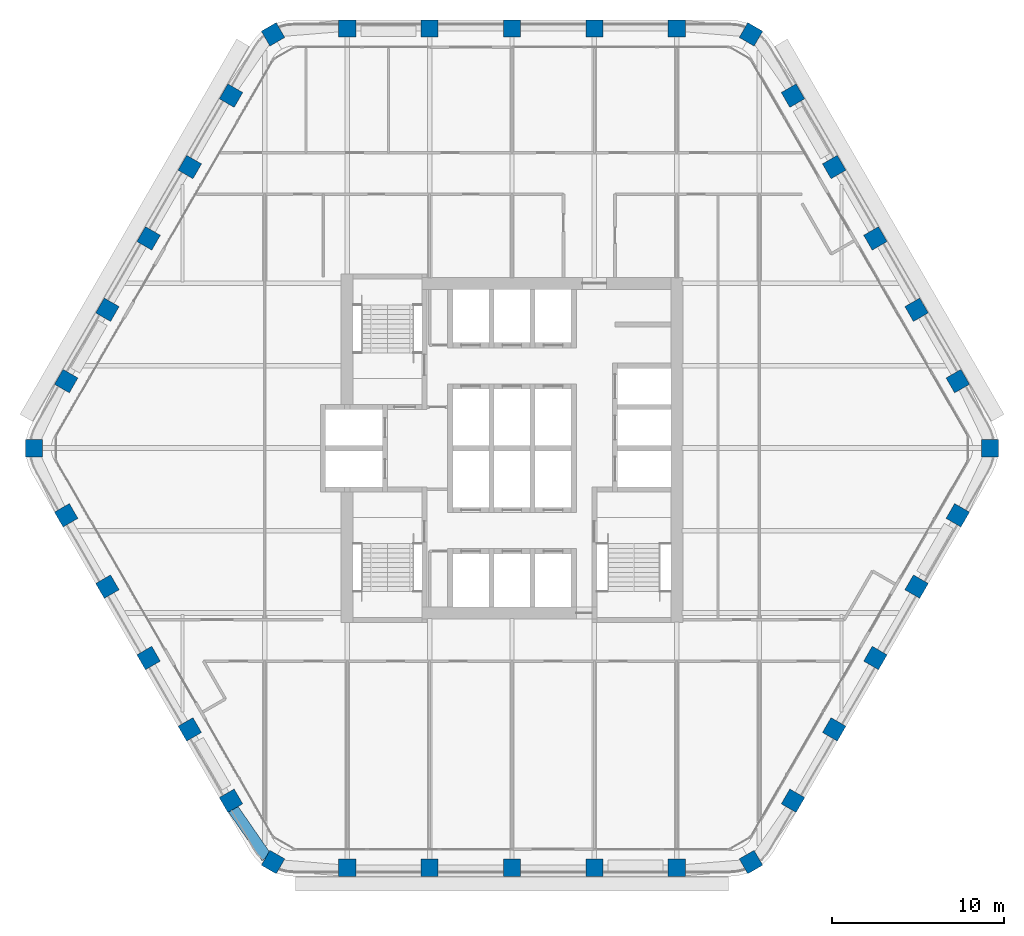
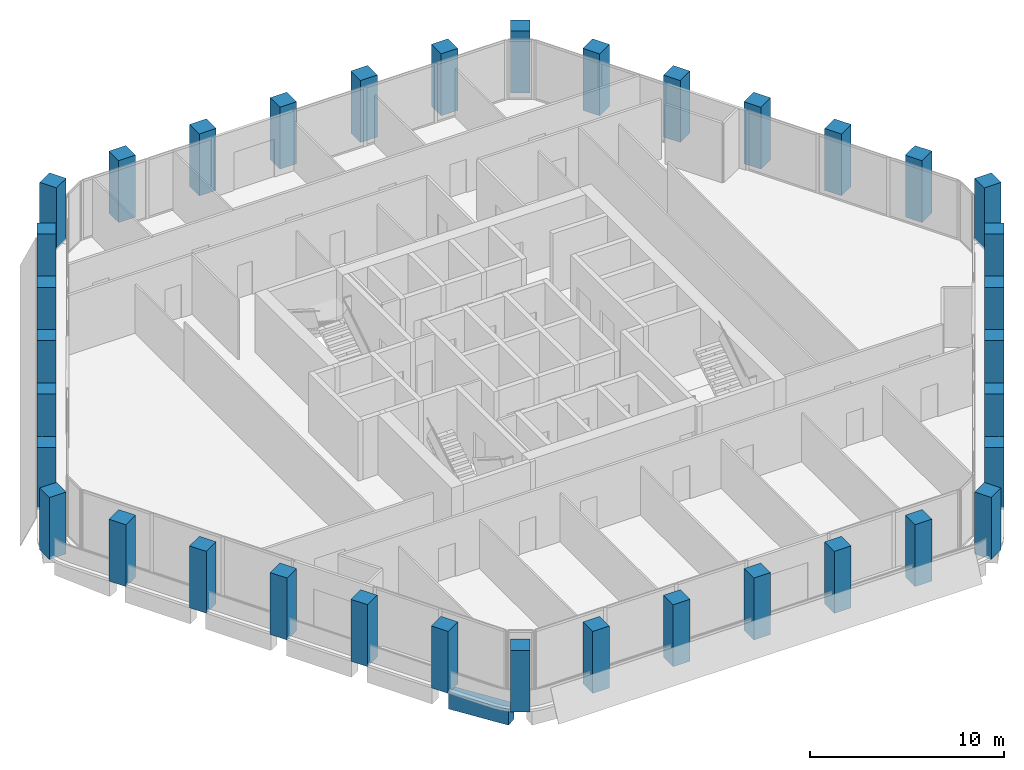
# One storey, part 1 of 15: 36 columns, 1 beam.
"""IFC4 building model written with IfcOpenShell, lengths in metres."""

from ifc_helpers import new_model, si_unit, direction, frame, origin, origin_2d, place, context, subcontext, project, spatial, rectangle, extrude, material, material_profile, profile_set, type_object, element, save


model = new_model("IFC4")

# Units and contexts
model_context = context("Model", 3, precision=1e-05, world=origin(), true_north=direction((0.0, 1.0)))
body_context = subcontext(model_context, "Body", "Model", "MODEL_VIEW")
ifc_project = project(units=[si_unit("LENGTHUNIT", "METRE"), si_unit("AREAUNIT", "SQUARE_METRE"), si_unit("VOLUMEUNIT", "CUBIC_METRE"), si_unit("PLANEANGLEUNIT", "RADIAN"), si_unit("MASSUNIT", "GRAM", prefix="KILO")], contexts=[model_context])

# Site, building, storey
site_placement = place(None, origin())
site = spatial("IfcSite", under=ifc_project, at=site_placement, CompositionType="ELEMENT")
building_placement = place(site_placement, origin())
building = spatial("IfcBuilding", under=site, at=building_placement, Name="Kolab Exchange Tower", CompositionType="ELEMENT")
storey_placement = place(building_placement, frame((0.0, 0.0, 185.60009765625)))
storey = spatial("IfcBuildingStorey", under=building, at=storey_placement, Name="L39", CompositionType="ELEMENT", Elevation=185.60009765625)

# Columns
ifc_material = material(Name="Concrete C60/75", Category="concrete")
ifc_material_profile_1 = material_profile(ifc_material, rectangle(XDim=1.0, YDim=1.0, at=origin_2d()), Name="RC1000")
ifc_profile_set_1 = profile_set([ifc_material_profile_1], Name="Concrete C60/75")
column_type = type_object("IfcColumnType", Name="PERIMETER COLUMN 1000 SQ C60/75", PredefinedType="COLUMN", material=ifc_profile_set_1)
for number, where, z_axis, x_axis, name in (
    (1, (-13.91796875, 24.106689453125, -0.150146484375), (0.0, 0.0, 1.0), (0.866025403784, 0.5, 0.0), "col/L39/F1-01"),
    (2, (-9.60009765625, 24.441650390625, -0.150146484375), (0.0, 0.0, 1.0), (1.0, 0.0, 0.0), "col/L39/F1-02"),
    (3, (-4.800048828125, 24.441650390625, -0.150146484375), (0.0, 0.0, 1.0), (1.0, 0.0, 0.0), "col/L39/F1-03"),
    (4, (0.0, 24.441650390625, -0.150146484375), (0.0, 0.0, 1.0), (1.0, 0.0, 0.0), "col/L39/F1-04"),
    (5, (4.800048828125, 24.441650390625, -0.150146484375), (0.0, 0.0, 1.0), (1.0, 0.0, 0.0), "col/L39/F1-05"),
    (6, (9.60009765625, 24.441650390625, -0.150146484375), (0.0, 0.0, 1.0), (1.0, 0.0, 0.0), "col/L39/F1-06"),
    (7, (13.91796875, 24.106689453125, -0.150146484375), (0.0, 0.0, 1.0), (0.5, 0.866025403784, 0.0), "col/L39/F2-01"),
    (8, (16.366943359375, 20.53466796875, -0.150146484375), (0.0, 0.0, 1.0), (0.866025403784, 0.5, 0.0), "col/L39/F2-02"),
    (9, (18.76708984375, 16.377685546875, -0.150146484375), (0.0, 0.0, 1.0), (0.866025403784, 0.5, 0.0), "col/L39/F2-03"),
    (10, (21.1669921875, 12.220703125, -0.150146484375), (0.0, 0.0, 1.0), (0.866025403784, 0.5, 0.0), "col/L39/F2-04"),
    (11, (23.56689453125, 8.06396484375, -0.150146484375), (0.0, 0.0, 1.0), (0.866025403784, 0.5, 0.0), "col/L39/F2-05"),
    (12, (25.967041015625, 3.906982421875, -0.150146484375), (0.0, 0.0, 1.0), (0.866025403784, 0.5, 0.0), "col/L39/F2-06"),
    (13, (27.8359375, 0.0, -0.150146484375), (0.0, 0.0, 1.0), (1.0, 0.0, 0.0), "col/L39/F3-01"),
    (14, (25.967041015625, -3.906982421875, -0.150146484375), (0.0, 0.0, 1.0), (0.5, 0.866025403784, 0.0), "col/L39/F3-02"),
    (15, (23.56689453125, -8.06396484375, -0.150146484375), (0.0, 0.0, 1.0), (0.5, 0.866025403784, 0.0), "col/L39/F3-03"),
    (16, (21.1669921875, -12.220703125, -0.150146484375), (0.0, 0.0, 1.0), (0.5, 0.866025403784, 0.0), "col/L39/F3-04"),
    (17, (18.76708984375, -16.377685546875, -0.150146484375), (0.0, 0.0, 1.0), (0.5, 0.866025403784, 0.0), "col/L39/F3-05"),
    (18, (16.366943359375, -20.53466796875, -0.150146484375), (0.0, 0.0, 1.0), (0.5, 0.866025403784, 0.0), "col/L39/F3-06"),
    (19, (13.91796875, -24.106689453125, -0.150146484375), (0.0, 0.0, 1.0), (0.866025403784, 0.5, 0.0), "col/L39/F4-01"),
    (20, (9.60009765625, -24.441650390625, -0.150146484375), (0.0, 0.0, 1.0), (1.0, 0.0, 0.0), "col/L39/F4-02"),
    (21, (4.800048828125, -24.441650390625, -0.150146484375), (0.0, 0.0, 1.0), (1.0, 0.0, 0.0), "col/L39/F4-03"),
    (22, (0.0, -24.441650390625, -0.150146484375), (0.0, 0.0, 1.0), (1.0, 0.0, 0.0), "col/L39/F4-04"),
    (23, (-4.800048828125, -24.441650390625, -0.150146484375), (0.0, 0.0, 1.0), (1.0, 0.0, 0.0), "col/L39/F4-05"),
    (24, (-9.60009765625, -24.441650390625, -0.150146484375), (0.0, 0.0, 1.0), (1.0, 0.0, 0.0), "col/L39/F4-06"),
    (25, (-13.91796875, -24.106689453125, -0.150146484375), (0.0, 0.0, 1.0), (0.5, 0.866025403784, 0.0), "col/L39/F5-01"),
    (26, (-16.366943359375, -20.53466796875, -0.150146484375), (0.0, 0.0, 1.0), (0.866025403784, 0.5, 0.0), "col/L39/F5-02"),
    (27, (-18.76708984375, -16.377685546875, -0.150146484375), (0.0, 0.0, 1.0), (0.866025403784, 0.5, 0.0), "col/L39/F5-03"),
    (28, (-21.1669921875, -12.220703125, -0.150146484375), (0.0, 0.0, 1.0), (0.866025403784, 0.5, 0.0), "col/L39/F5-04"),
    (29, (-23.56689453125, -8.06396484375, -0.150146484375), (0.0, 0.0, 1.0), (0.866025403784, 0.5, 0.0), "col/L39/F5-05"),
    (30, (-25.967041015625, -3.906982421875, -0.150146484375), (0.0, 0.0, 1.0), (0.866025403784, 0.5, 0.0), "col/L39/F5-06"),
    (31, (-27.8359375, 0.0, -0.150146484375), (0.0, 0.0, 1.0), (1.0, 0.0, 0.0), "col/L39/F6-01"),
    (32, (-25.967041015625, 3.906982421875, -0.150146484375), (0.0, 0.0, 1.0), (0.5, 0.866025403784, 0.0), "col/L39/F6-02"),
    (33, (-23.56689453125, 8.06396484375, -0.150146484375), (0.0, 0.0, 1.0), (0.5, 0.866025403784, 0.0), "col/L39/F6-03"),
    (34, (-21.1669921875, 12.220703125, -0.150146484375), (0.0, 0.0, 1.0), (0.5, 0.866025403784, 0.0), "col/L39/F6-04"),
    (35, (-18.76708984375, 16.377685546875, -0.150146484375), (0.0, 0.0, 1.0), (0.5, 0.866025403784, 0.0), "col/L39/F6-05"),
    (36, (-16.366943359375, 20.53466796875, -0.150146484375), (0.0, 0.0, 1.0), (0.5, 0.866025403784, 0.0), "col/L39/F6-06"),
):
    element("IfcColumn", number, at=place(storey_placement, frame(where, z_axis=z_axis, x_axis=x_axis)), inside=storey, type_object=column_type, Name=name, PredefinedType="COLUMN", context=body_context, shape_type="SweptSolid", body=[
        extrude(rectangle(XDim=1.0, YDim=1.0, at=origin_2d()), origin(), (0.0, 0.0, 1.0), 3.900146484375),
    ])

# Beam
ifc_material_profile_2 = material_profile(ifc_material, rectangle(XDim=0.64990234375, YDim=1.0, at=origin_2d()), Name="RC650X1000")
ifc_profile_set_2 = profile_set([ifc_material_profile_2], Name="Concrete C60/75")
beam_type = type_object("IfcBeamType", Name="SPANDREL BEAM 650X1000 C60/75", PredefinedType="BEAM", material=ifc_profile_set_2)
beam_placement = place(storey_placement, frame((-14.29736328125, -23.8359375, -0.650146484375), z_axis=(-0.568572281073, 0.822633309073, 0.0), x_axis=(-0.822633309073, -0.568572281073, 0.0)))
element("IfcBeam", 37, at=beam_placement, inside=storey, type_object=beam_type, Name="beam/L39/sp/F5-01", PredefinedType="BEAM", context=body_context, shape_type="SweptSolid", body=[
    extrude(rectangle(XDim=0.64990234375, YDim=1.0, at=origin_2d()), origin(), (0.0, 0.0, 1.0), 3.445068359375),
])

save(model, "model.ifc")
